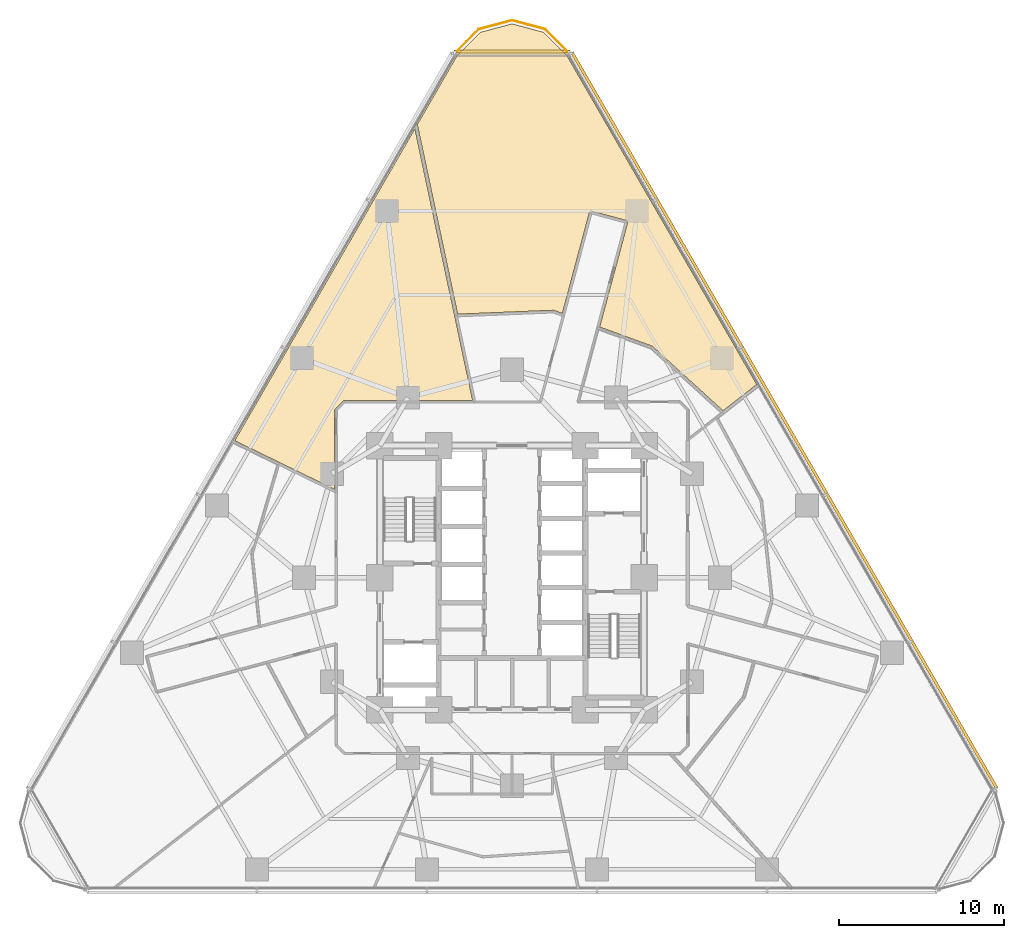
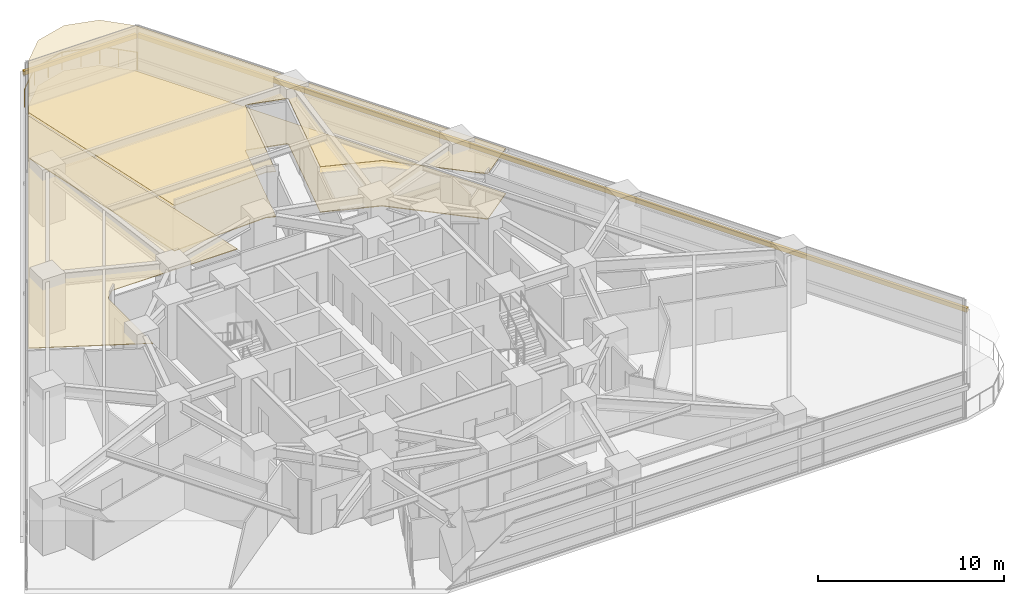
# One storey, part 15 of 15: 3 coverings, 2 shading devices, 1 railing.
"""IFC4 building model written with IfcOpenShell, lengths in metres."""

from ifc_helpers import new_model, si_unit, direction, frame, origin, origin_2d, place, context, subcontext, project, spatial, polyline, rectangle, circle, outline, extrude, material, layer, layer_set, type_object, element, save


model = new_model("IFC4")

# Units and contexts
model_context = context("Model", 3, precision=1e-05, world=origin(), true_north=direction((0.0, 1.0)))
body_context = subcontext(model_context, "Body", "Model", "MODEL_VIEW")
ifc_project = project(units=[si_unit("LENGTHUNIT", "METRE"), si_unit("AREAUNIT", "SQUARE_METRE"), si_unit("VOLUMEUNIT", "CUBIC_METRE"), si_unit("PLANEANGLEUNIT", "RADIAN"), si_unit("MASSUNIT", "GRAM", prefix="KILO")], contexts=[model_context])

# Site, building, storey
site_placement = place(None, origin())
site = spatial("IfcSite", under=ifc_project, at=site_placement, CompositionType="ELEMENT")
building_placement = place(site_placement, origin())
building = spatial("IfcBuilding", under=site, at=building_placement, Name="Terralouvre Media Tower", CompositionType="ELEMENT")
storey_placement = place(building_placement, frame((0.0, 0.0, 48.199951171875)))
storey = spatial("IfcBuildingStorey", under=building, at=storey_placement, Name="L11", CompositionType="ELEMENT", Elevation=48.199951171875)

# Coverings
ifc_material_1 = material(Name="Resilient elastomer acoustic broadcast studio flooring")
ifc_layer_1 = layer(ifc_material_1, 0.050048828125, Name="Broadcast Studio Acoustic Floating Floor FL-AC1")
ifc_layer_set_1 = layer_set([ifc_layer_1], Name="Resilient elastomer acoustic broadcast studio flooring")
covering_type_1 = type_object("IfcCoveringType", Name="Broadcast Studio Acoustic Floating Floor FL-AC1", PredefinedType="FLOORING", material=ifc_layer_set_1)
covering_1_placement = place(storey_placement, origin())
element("IfcCovering", 1, at=covering_1_placement, inside=storey, type_object=covering_type_1, Name="L11 Periodicals Reading Club 4 Acoustic Floating Floor", PredefinedType="FLOORING", context=body_context, shape_type="SweptSolid", body=[
    extrude(outline(polyline([(-3.292724609375, 15.970458984375), (2.498779296875, 16.206787109375), (2.5087890625, 16.206787109375), (2.518310546875, 16.205810546875), (2.52783203125, 16.203857421875), (2.537353515625, 16.200927734375), (3.048583984375, 16.014404296875), (4.6904296875, 22.140869140625), (4.693359375, 22.150146484375), (4.697265625, 22.1591796875), (4.7021484375, 22.167724609375), (4.707763671875, 22.17578125), (4.714111328125, 22.183349609375), (4.72119140625, 22.190185546875), (4.728759765625, 22.1962890625), (4.737060546875, 22.20166015625), (4.74560546875, 22.2060546875), (4.7548828125, 22.209716796875), (4.764404296875, 22.21240234375), (4.77392578125, 22.214111328125), (4.78369140625, 22.21484375), (4.793701171875, 22.21484375), (4.80322265625, 22.213623046875), (4.81298828125, 22.211669921875), (6.93798828125, 21.6416015625), (6.947265625, 21.638671875), (6.956298828125, 21.634765625), (6.96484375, 21.6298828125), (6.972900390625, 21.624267578125), (6.98046875, 21.617919921875), (6.9873046875, 21.61083984375), (6.993408203125, 21.603271484375), (6.99853515625, 21.594970703125), (7.003173828125, 21.586181640625), (7.006591796875, 21.5771484375), (7.009521484375, 21.567626953125), (7.010986328125, 21.55810546875), (7.011962890625, 21.54833984375), (7.01171875, 21.538330078125), (7.0107421875, 21.52880859375), (7.008544921875, 21.51904296875), (5.312255859375, 15.190673828125), (8.47021484375, 14.041015625), (8.479248046875, 14.037109375), (8.48779296875, 14.03271484375), (8.495849609375, 14.027099609375), (8.50341796875, 14.02099609375), (12.7880859375, 10.117919921875), (14.827880859375, 11.711181640625), (3.3310546875, 31.62353515625), (1.9111328125, 33.043212890625), (0.0, 33.555419921875), (-1.9111328125, 33.043212890625), (-3.3310546875, 31.62353515625), (-5.735107421875, 27.460205078125), (-3.292724609375, 15.970458984375)])), origin(), (0.0, 0.0, 1.0), 0.050048828125),
])
ifc_material_2 = material(Name="Perforated aluminium acoustic ceiling baffle", Category="aluminium")
ifc_layer_2 = layer(ifc_material_2, 0.0400390625, Name="Perforated Acoustic Metal Tile Ceiling CL-AC1")
ifc_layer_set_2 = layer_set([ifc_layer_2], Name="Perforated aluminium acoustic ceiling baffle")
covering_type_2 = type_object("IfcCoveringType", Name="Perforated Acoustic Metal Tile Ceiling CL-AC1", PredefinedType="CEILING", material=ifc_layer_set_2)
covering_2_placement = place(storey_placement, frame((0.0, 0.0, 2.97998046875)))
element("IfcCovering", 2, at=covering_2_placement, inside=storey, type_object=covering_type_2, Name="L11 Periodicals Reading Club 4 Acoustic Ceiling", PredefinedType="CEILING", context=body_context, shape_type="SweptSolid", body=[
    extrude(outline(polyline([(-3.292724609375, 15.970458984375), (2.498779296875, 16.206787109375), (2.5087890625, 16.206787109375), (2.518310546875, 16.205810546875), (2.52783203125, 16.203857421875), (2.537353515625, 16.200927734375), (3.048583984375, 16.014404296875), (4.6904296875, 22.140869140625), (4.693359375, 22.150146484375), (4.697265625, 22.1591796875), (4.7021484375, 22.167724609375), (4.707763671875, 22.17578125), (4.714111328125, 22.183349609375), (4.72119140625, 22.190185546875), (4.728759765625, 22.1962890625), (4.737060546875, 22.20166015625), (4.74560546875, 22.2060546875), (4.7548828125, 22.209716796875), (4.764404296875, 22.21240234375), (4.77392578125, 22.214111328125), (4.78369140625, 22.21484375), (4.793701171875, 22.21484375), (4.80322265625, 22.213623046875), (4.81298828125, 22.211669921875), (6.93798828125, 21.6416015625), (6.947265625, 21.638671875), (6.956298828125, 21.634765625), (6.96484375, 21.6298828125), (6.972900390625, 21.624267578125), (6.98046875, 21.617919921875), (6.9873046875, 21.61083984375), (6.993408203125, 21.603271484375), (6.99853515625, 21.594970703125), (7.003173828125, 21.586181640625), (7.006591796875, 21.5771484375), (7.009521484375, 21.567626953125), (7.010986328125, 21.55810546875), (7.011962890625, 21.54833984375), (7.01171875, 21.538330078125), (7.0107421875, 21.52880859375), (7.008544921875, 21.51904296875), (5.312255859375, 15.190673828125), (8.47021484375, 14.041015625), (8.479248046875, 14.037109375), (8.48779296875, 14.03271484375), (8.495849609375, 14.027099609375), (8.50341796875, 14.02099609375), (12.7880859375, 10.117919921875), (14.827880859375, 11.711181640625), (3.3310546875, 31.62353515625), (1.9111328125, 33.043212890625), (0.0, 33.555419921875), (-1.9111328125, 33.043212890625), (-3.3310546875, 31.62353515625), (-5.735107421875, 27.460205078125), (-3.292724609375, 15.970458984375)])), origin(), (0.0, 0.0, 1.0), 0.0400390625),
])
covering_3_placement = place(storey_placement, frame((0.0, 0.0, 2.97998046875)))
element("IfcCovering", 3, at=covering_3_placement, inside=storey, type_object=covering_type_2, Name="L11 Broadcast Ethics Seminar Room 14 Acoustic Ceiling", PredefinedType="CEILING", context=body_context, shape_type="SweptSolid", body=[
    extrude(outline(polyline([(-10.75, 5.35400390625), (-10.75, 10.14990234375), (-10.74951171875, 10.159912109375), (-10.748046875, 10.16943359375), (-10.74560546875, 10.178955078125), (-10.742431640625, 10.188232421875), (-10.73828125, 10.197021484375), (-10.733154296875, 10.20556640625), (-10.727294921875, 10.21337890625), (-10.720703125, 10.220703125), (-10.220703125, 10.720703125), (-10.21337890625, 10.727294921875), (-10.20556640625, 10.733154296875), (-10.197021484375, 10.73828125), (-10.188232421875, 10.742431640625), (-10.178955078125, 10.74560546875), (-10.16943359375, 10.748046875), (-10.159912109375, 10.74951171875), (-10.14990234375, 10.75), (-2.387451171875, 10.75), (-3.470703125, 15.84619140625), (-5.884521484375, 27.201416015625), (-16.7958984375, 8.302978515625), (-14.089111328125, 6.98291015625), (-10.75, 5.35400390625)])), origin(), (0.0, 0.0, 1.0), 0.0400390625),
])

# Railing
ifc_material_3 = material(Name="Stainless steel 316 handrail and balustrade", Category="steel")
ifc_layer_3 = layer(ifc_material_3, 0.06005859375, Name="Roof Edge Safety Guardrail GR-ROOF1")
ifc_layer_set_3 = layer_set([ifc_layer_3], Name="Stainless steel 316 handrail and balustrade")
railing_type = type_object("IfcRailingType", Name="Roof Edge Safety Guardrail GR-ROOF1", PredefinedType="GUARDRAIL", material=ifc_layer_set_3)
railing_placement = place(storey_placement, frame((3.505859375, 31.74365234375, 0.0)))
element("IfcRailing", 4, at=railing_placement, inside=storey, type_object=railing_type, Name="L11 Wind-Corner Perimeter Safety Guardrail C2", PredefinedType="GUARDRAIL", context=body_context, shape_type="SweptSolid", body=[
    extrude(circle(Radius=0.02099609375, at=origin_2d()), frame((0.0, 0.0, 1.12890625), z_axis=(-0.706932035913, 0.707281483286, 0.0), x_axis=(-0.707281483286, -0.706932035913, 0.0)), (0.0, 0.0, 1.0), 2.095947265625),
    extrude(circle(Radius=0.02099609375, at=origin_2d()), frame((-1.481689453125, 1.482421875, 1.12890625), z_axis=(-0.965913206711, 0.258866137416, 0.0), x_axis=(-0.258866137416, -0.965913206711, 0.0)), (0.0, 0.0, 1.0), 2.095703125),
    extrude(circle(Radius=0.02099609375, at=origin_2d()), frame((-3.505859375, 2.02490234375, 1.12890625), z_axis=(-0.965913206711, -0.258866137416, 0.0), x_axis=(0.258866137416, -0.965913206711, 0.0)), (0.0, 0.0, 1.0), 2.095703125),
    extrude(circle(Radius=0.02099609375, at=origin_2d()), frame((-5.530029296875, 1.482421875, 1.12890625), z_axis=(-0.706932035913, -0.707281483286, 0.0), x_axis=(0.707281483286, -0.706932035913, 0.0)), (0.0, 0.0, 1.0), 2.095947265625),
    extrude(circle(Radius=0.01904296875, at=origin_2d()), origin(), (0.0, 0.0, 1.0), 1.10791015625),
    extrude(circle(Radius=0.01904296875, at=origin_2d()), frame((-0.74072265625, 0.7412109375, 0.0)), (0.0, 0.0, 1.0), 1.10791015625),
    extrude(circle(Radius=0.01904296875, at=origin_2d()), frame((-1.481689453125, 1.482421875, 0.0)), (0.0, 0.0, 1.0), 1.10791015625),
    extrude(circle(Radius=0.01904296875, at=origin_2d()), frame((-2.49365234375, 1.753662109375, 0.0)), (0.0, 0.0, 1.0), 1.10791015625),
    extrude(circle(Radius=0.01904296875, at=origin_2d()), frame((-3.505859375, 2.02490234375, 0.0)), (0.0, 0.0, 1.0), 1.10791015625),
    extrude(circle(Radius=0.01904296875, at=origin_2d()), frame((-4.51806640625, 1.753662109375, 0.0)), (0.0, 0.0, 1.0), 1.10791015625),
    extrude(circle(Radius=0.01904296875, at=origin_2d()), frame((-5.530029296875, 1.482421875, 0.0)), (0.0, 0.0, 1.0), 1.10791015625),
    extrude(circle(Radius=0.01904296875, at=origin_2d()), frame((-6.27099609375, 0.7412109375, 0.0)), (0.0, 0.0, 1.0), 1.10791015625),
    extrude(circle(Radius=0.01904296875, at=origin_2d()), frame((-7.01171875, 0.0, 0.0)), (0.0, 0.0, 1.0), 1.10791015625),
])

# Shading devices
ifc_material_4 = material(Name="Extruded terracotta baguette sunshade louvres", Category="masonry")
shading_device_type = type_object("IfcShadingDeviceType", Name="Terracotta Baguette Sunshade Louvre Screen TB-LV1", PredefinedType="USERDEFINED", material=ifc_material_4)
shading_device_1_placement = place(storey_placement, frame((16.503662109375, 9.5283203125, 2.02392578125), z_axis=(0.0, 0.0, 1.0), x_axis=(-0.499999985671, 0.866025412057, 0.0)))
element("IfcShadingDevice", 5, at=shading_device_1_placement, inside=storey, type_object=shading_device_type, Name="CW-L11-F1 Terracotta Baguette Sunshade Louvre", ObjectType="BAGUETTE", PredefinedType="USERDEFINED", context=body_context, shape_type="SweptSolid", body=[
    extrude(rectangle(XDim=51.5, YDim=0.179931640625, at=origin_2d()), origin(), (0.0, 0.0, 1.0), 0.280029296875),
])
shading_device_2_placement = place(storey_placement, frame((0.0, 31.87841796875, 2.02392578125), z_axis=(0.0, 0.0, 1.0), x_axis=(-1.0, 0.0, 0.0)))
element("IfcShadingDevice", 6, at=shading_device_2_placement, inside=storey, type_object=shading_device_type, Name="CW-L11-C2 Terracotta Baguette Sunshade Louvre", ObjectType="BAGUETTE", PredefinedType="USERDEFINED", context=body_context, shape_type="SweptSolid", body=[
    extrude(rectangle(XDim=7.014892578125, YDim=0.179931640625, at=origin_2d()), origin(), (0.0, 0.0, 1.0), 0.280029296875),
])

save(model, "model.ifc")
